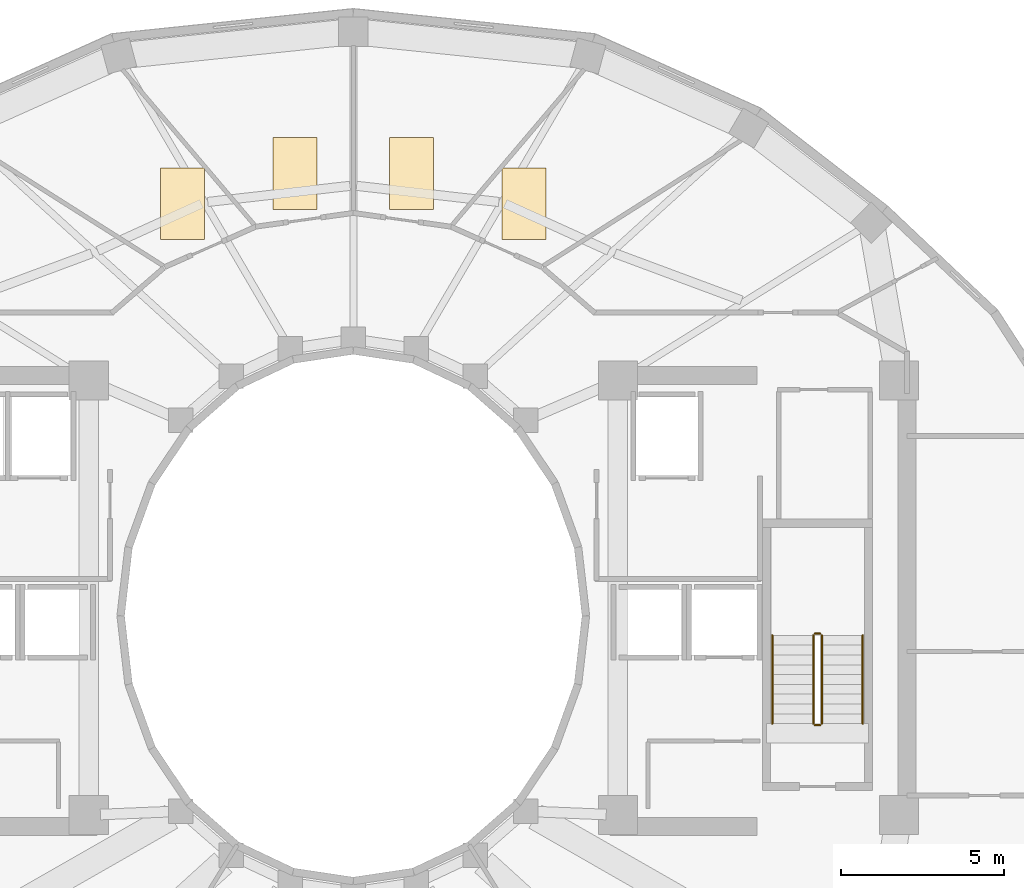
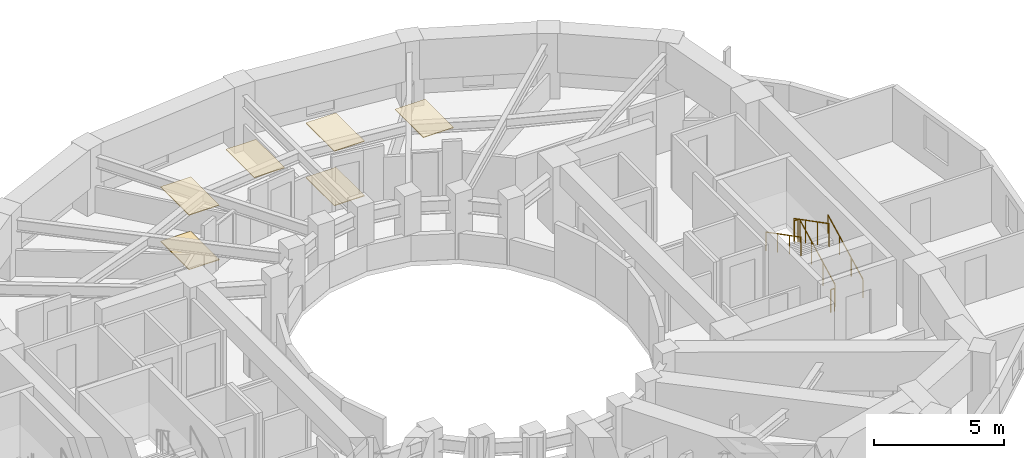
# One storey, part 9 of 9: 6 coverings, 6 railings.
"""IFC4 building model written with IfcOpenShell, lengths in metres."""

from ifc_helpers import new_model, si_unit, direction, frame, origin, origin_2d, place, context, subcontext, project, spatial, polyline, circle, outline, extrude, material, layer, layer_set, type_object, element, save


model = new_model("IFC4")

# Units and contexts
model_context = context("Model", 3, precision=1e-05, world=origin(), true_north=direction((0.0, 1.0)))
body_context = subcontext(model_context, "Body", "Model", "MODEL_VIEW")
ifc_project = project(units=[si_unit("LENGTHUNIT", "METRE"), si_unit("AREAUNIT", "SQUARE_METRE"), si_unit("VOLUMEUNIT", "CUBIC_METRE"), si_unit("PLANEANGLEUNIT", "RADIAN"), si_unit("MASSUNIT", "GRAM", prefix="KILO")], contexts=[model_context])

# Site, building, storey
site_placement = place(None, origin())
site = spatial("IfcSite", under=ifc_project, at=site_placement, CompositionType="ELEMENT")
building_placement = place(site_placement, origin())
building = spatial("IfcBuilding", under=site, at=building_placement, Name="Solvane Sanctuary Tower", CompositionType="ELEMENT")
storey_placement = place(building_placement, frame((0.0, 0.0, 187.0)))
storey = spatial("IfcBuildingStorey", under=building, at=storey_placement, Name="L57", CompositionType="ELEMENT", Elevation=187.0)

# Coverings
ifc_material_1 = material(Name="Acoustic Gypsum Partition Board")
ifc_layer_1 = layer(ifc_material_1, 0.02490234375, Name="Acoustic Gypsum Partition Board")
ifc_layer_set_1 = layer_set([ifc_layer_1], Name="Acoustic Gypsum Partition Board")
covering_type_1 = type_object("IfcCoveringType", Name="Covering CLG-ACOUST", PredefinedType="CEILING", material=ifc_layer_set_1)
covering_1_placement = place(storey_placement, frame((0.0, 0.0, 2.570068359375)))
element("IfcCovering", 1, at=covering_1_placement, inside=storey, type_object=covering_type_1, Name="L57 Unit Acoustic Ceiling Panel 1", PredefinedType="CEILING", context=body_context, shape_type="SweptSolid", body=[
    extrude(outline(polyline([(36.549072265625, 34.510986328125), (37.89892578125, 34.510986328125), (37.89892578125, 36.7109375), (36.549072265625, 36.7109375), (36.549072265625, 34.510986328125)])), origin(), (0.0, 0.0, 1.0), 0.030029296875),
])
covering_2_placement = place(storey_placement, frame((0.0, 0.0, 2.570068359375)))
element("IfcCovering", 2, at=covering_2_placement, inside=storey, type_object=covering_type_1, Name="L57 Unit Acoustic Ceiling Panel 2", PredefinedType="CEILING", context=body_context, shape_type="SweptSolid", body=[
    extrude(outline(polyline([(33.10693359375, 35.43310546875), (34.45703125, 35.43310546875), (34.45703125, 37.633056640625), (33.10693359375, 37.633056640625), (33.10693359375, 35.43310546875)])), origin(), (0.0, 0.0, 1.0), 0.030029296875),
])
covering_3_placement = place(storey_placement, frame((0.0, 0.0, 2.570068359375)))
element("IfcCovering", 3, at=covering_3_placement, inside=storey, type_object=covering_type_1, Name="L57 Unit Acoustic Ceiling Panel 3", PredefinedType="CEILING", context=body_context, shape_type="SweptSolid", body=[
    extrude(outline(polyline([(29.54296875, 35.43310546875), (30.89306640625, 35.43310546875), (30.89306640625, 37.633056640625), (29.54296875, 37.633056640625), (29.54296875, 35.43310546875)])), origin(), (0.0, 0.0, 1.0), 0.030029296875),
])
covering_4_placement = place(storey_placement, frame((0.0, 0.0, 2.570068359375)))
element("IfcCovering", 4, at=covering_4_placement, inside=storey, type_object=covering_type_1, Name="L57 Unit Acoustic Ceiling Panel 4", PredefinedType="CEILING", context=body_context, shape_type="SweptSolid", body=[
    extrude(outline(polyline([(26.10107421875, 34.510986328125), (27.450927734375, 34.510986328125), (27.450927734375, 36.7109375), (26.10107421875, 36.7109375), (26.10107421875, 34.510986328125)])), origin(), (0.0, 0.0, 1.0), 0.030029296875),
])
ifc_material_2 = material(Name="Ceramic Tile Finish")
ifc_layer_2 = layer(ifc_material_2, 0.030029296875, Name="Ceramic Tile Finish")
ifc_layer_set_2 = layer_set([ifc_layer_2], Name="Ceramic Tile Finish")
covering_type_2 = type_object("IfcCoveringType", Name="Covering FLR-TERRAZZO", PredefinedType="FLOORING", material=ifc_layer_set_2)
covering_5_placement = place(storey_placement, origin())
element("IfcCovering", 5, at=covering_5_placement, inside=storey, type_object=covering_type_2, Name="L57 Unit Terrazzo Inlay 2", PredefinedType="FLOORING", context=body_context, shape_type="SweptSolid", body=[
    extrude(outline(polyline([(33.10693359375, 35.43310546875), (34.45703125, 35.43310546875), (34.45703125, 37.633056640625), (33.10693359375, 37.633056640625), (33.10693359375, 35.43310546875)])), origin(), (0.0, 0.0, 1.0), 0.034912109375),
])
covering_6_placement = place(storey_placement, origin())
element("IfcCovering", 6, at=covering_6_placement, inside=storey, type_object=covering_type_2, Name="L57 Unit Terrazzo Inlay 4", PredefinedType="FLOORING", context=body_context, shape_type="SweptSolid", body=[
    extrude(outline(polyline([(26.10107421875, 34.510986328125), (27.450927734375, 34.510986328125), (27.450927734375, 36.7109375), (26.10107421875, 36.7109375), (26.10107421875, 34.510986328125)])), origin(), (0.0, 0.0, 1.0), 0.034912109375),
])

# Railings
ifc_material_3 = material(Name="Architectural Stainless Steel 316", Category="steel")
railing_type_1 = type_object("IfcRailingType", Name="Railing GR-BALC-1150", PredefinedType="BALUSTRADE", material=ifc_material_3)
railing_1_placement = place(storey_placement, frame((46.340087890625, 19.699951171875, 0.155029296875)))
element("IfcRailing", 7, at=railing_1_placement, inside=storey, type_object=railing_type_1, Name="L57 ST-2 stair guard 1", PredefinedType="BALUSTRADE", context=body_context, shape_type="SweptSolid", body=[
    extrude(circle(Radius=0.02392578125, at=origin_2d()), frame((0.0, 0.0, 1.076171875), z_axis=(0.0, 0.888419900624, 0.459031676658), x_axis=(-1.0, 0.0, 0.0)), (0.0, 0.0, 1.0), 3.0390625),
    extrude(circle(Radius=0.02099609375, at=origin_2d()), origin(), (0.0, 0.0, 1.0), 1.052001953125),
    extrude(circle(Radius=0.02099609375, at=origin_2d()), frame((0.0, 0.89990234375, 0.465087890625)), (0.0, 0.0, 1.0), 1.052001953125),
    extrude(circle(Radius=0.02099609375, at=origin_2d()), frame((0.0, 1.800048828125, 0.929931640625)), (0.0, 0.0, 1.0), 1.052001953125),
    extrude(circle(Radius=0.02099609375, at=origin_2d()), frame((0.0, 2.699951171875, 1.39501953125)), (0.0, 0.0, 1.0), 1.052001953125),
])
railing_2_placement = place(storey_placement, frame((46.2900390625, 22.449951171875, 1.550048828125)))
element("IfcRailing", 8, at=railing_2_placement, inside=storey, type_object=railing_type_1, Name="L57 ST-2 stair guard 2", PredefinedType="BALUSTRADE", context=body_context, shape_type="SweptSolid", body=[
    extrude(circle(Radius=0.02392578125, at=origin_2d()), frame((0.0, 0.0, 1.076171875), z_axis=(-1.0, 0.0, 0.0), x_axis=(0.0, -1.0, 0.0)), (0.0, 0.0, 1.0), 0.16015625),
    extrude(circle(Radius=0.02099609375, at=origin_2d()), origin(), (0.0, 0.0, 1.0), 1.052001953125),
    extrude(circle(Radius=0.02099609375, at=origin_2d()), frame((-0.16015625, 0.0, 0.0)), (0.0, 0.0, 1.0), 1.052001953125),
])
railing_3_placement = place(storey_placement, frame((46.080078125, 22.39990234375, 1.705078125)))
element("IfcRailing", 9, at=railing_3_placement, inside=storey, type_object=railing_type_1, Name="L57 ST-2 stair guard 3", PredefinedType="BALUSTRADE", context=body_context, shape_type="SweptSolid", body=[
    extrude(circle(Radius=0.02392578125, at=origin_2d()), frame((0.0, 0.0, 1.076171875), z_axis=(0.0, -0.888419900624, 0.459031676658), x_axis=(1.0, 0.0, 0.0)), (0.0, 0.0, 1.0), 3.0390625),
    extrude(circle(Radius=0.02099609375, at=origin_2d()), origin(), (0.0, 0.0, 1.0), 1.052001953125),
    extrude(circle(Radius=0.02099609375, at=origin_2d()), frame((0.0, -0.89990234375, 0.465087890625)), (0.0, 0.0, 1.0), 1.052001953125),
    extrude(circle(Radius=0.02099609375, at=origin_2d()), frame((0.0, -1.800048828125, 0.929931640625)), (0.0, 0.0, 1.0), 1.052001953125),
    extrude(circle(Radius=0.02099609375, at=origin_2d()), frame((0.0, -2.699951171875, 1.39501953125)), (0.0, 0.0, 1.0), 1.052001953125),
])
railing_4_placement = place(storey_placement, frame((46.2900390625, 19.64990234375, 0.0)))
element("IfcRailing", 10, at=railing_4_placement, inside=storey, type_object=railing_type_1, Name="L57 ST-2 stair guard 4", PredefinedType="BALUSTRADE", context=body_context, shape_type="SweptSolid", body=[
    extrude(circle(Radius=0.02392578125, at=origin_2d()), frame((0.0, 0.0, 1.076171875), z_axis=(-1.0, 0.0, 0.0), x_axis=(0.0, -1.0, 0.0)), (0.0, 0.0, 1.0), 0.16015625),
    extrude(circle(Radius=0.02099609375, at=origin_2d()), origin(), (0.0, 0.0, 1.0), 1.052001953125),
    extrude(circle(Radius=0.02099609375, at=origin_2d()), frame((-0.16015625, 0.0, 0.0)), (0.0, 0.0, 1.0), 1.052001953125),
])
railing_type_2 = type_object("IfcRailingType", Name="Railing HR-STAIR-920", PredefinedType="HANDRAIL", material=ifc_material_3)
railing_5_placement = place(storey_placement, frame((47.590087890625, 19.699951171875, 0.155029296875)))
element("IfcRailing", 11, at=railing_5_placement, inside=storey, type_object=railing_type_2, Name="L57 ST-2 stair handrail 1", PredefinedType="HANDRAIL", context=body_context, shape_type="SweptSolid", body=[
    extrude(circle(Radius=0.02392578125, at=origin_2d()), frame((0.0, 0.0, 0.8759765625), z_axis=(0.0, 0.888419900624, 0.459031676658), x_axis=(-1.0, 0.0, 0.0)), (0.0, 0.0, 1.0), 3.0390625),
    extrude(circle(Radius=0.02099609375, at=origin_2d()), origin(), (0.0, 0.0, 1.0), 0.851806640625),
    extrude(circle(Radius=0.02099609375, at=origin_2d()), frame((0.0, 0.89990234375, 0.465087890625)), (0.0, 0.0, 1.0), 0.851806640625),
    extrude(circle(Radius=0.02099609375, at=origin_2d()), frame((0.0, 1.800048828125, 0.929931640625)), (0.0, 0.0, 1.0), 0.851806640625),
    extrude(circle(Radius=0.02099609375, at=origin_2d()), frame((0.0, 2.699951171875, 1.39501953125)), (0.0, 0.0, 1.0), 0.851806640625),
])
railing_6_placement = place(storey_placement, frame((44.830078125, 22.39990234375, 1.705078125)))
element("IfcRailing", 12, at=railing_6_placement, inside=storey, type_object=railing_type_2, Name="L57 ST-2 stair handrail 2", PredefinedType="HANDRAIL", context=body_context, shape_type="SweptSolid", body=[
    extrude(circle(Radius=0.02392578125, at=origin_2d()), frame((0.0, 0.0, 0.8759765625), z_axis=(0.0, -0.888419900624, 0.459031676658), x_axis=(1.0, 0.0, 0.0)), (0.0, 0.0, 1.0), 3.0390625),
    extrude(circle(Radius=0.02099609375, at=origin_2d()), origin(), (0.0, 0.0, 1.0), 0.851806640625),
    extrude(circle(Radius=0.02099609375, at=origin_2d()), frame((0.0, -0.89990234375, 0.465087890625)), (0.0, 0.0, 1.0), 0.851806640625),
    extrude(circle(Radius=0.02099609375, at=origin_2d()), frame((0.0, -1.800048828125, 0.929931640625)), (0.0, 0.0, 1.0), 0.851806640625),
    extrude(circle(Radius=0.02099609375, at=origin_2d()), frame((0.0, -2.699951171875, 1.39501953125)), (0.0, 0.0, 1.0), 0.851806640625),
])

save(model, "model.ifc")
